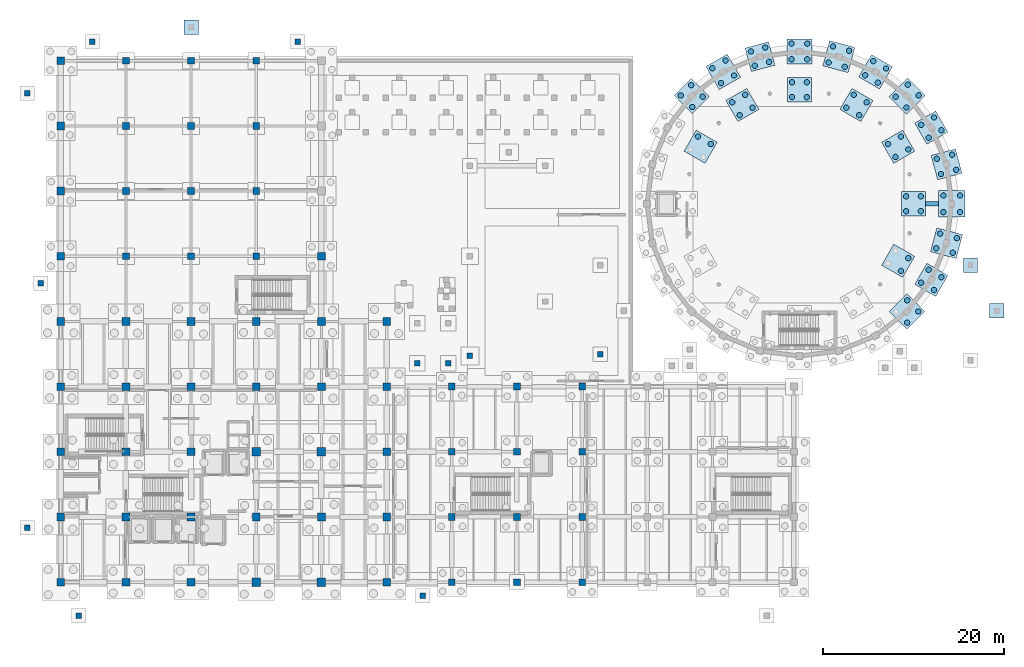
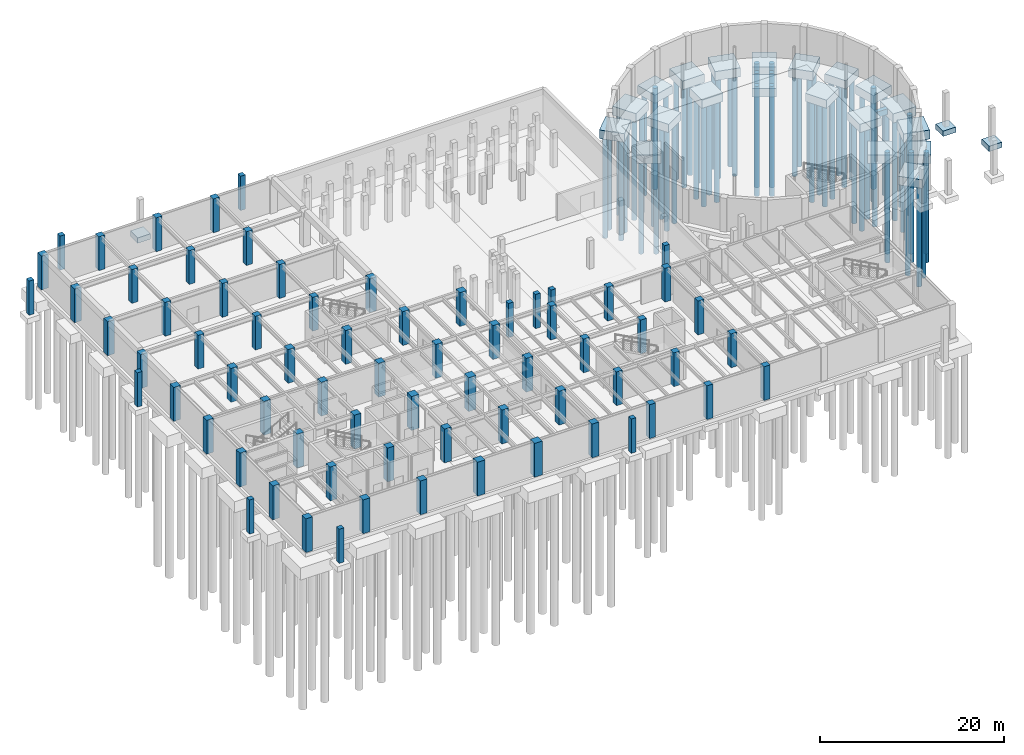
# One storey, part 6 of 26: 75 piles, 70 columns, 24 footings.
"""IFC4 building model written with IfcOpenShell, lengths in metres."""

import ifcopenshell
import ifcopenshell.guid

model = None  # the IFC model being written
_history = None  # IfcOwnerHistory: only IFC2X3 demands one
_inside = {}  # id of a spatial element -> (the spatial element, [elements in it])
_under = {}  # id of a project, library or spatial element -> (it, [spatial elements below it])
_declared = {}  # id of a project -> (the project, [libraries it declares])
_typed = {}  # id of a type object -> (the type object, [elements of that type])
_made_of = {}  # id of a material, layer set ... -> (it, [elements and type objects made of it])


def new_model(schema):
    """Start an empty IFC model of exactly this schema.

    Asked for "IFC4X3", IfcOpenShell would pick the latest addendum, in which some entities
    have other attributes; the version numbers below select the first issue.
    IFC2X3 requires an IfcOwnerHistory on every rooted entity: one is made here for all.
    """
    global model, _history
    if schema == "IFC4X3":
        model = ifcopenshell.file(schema_version=(4, 3, 0, 0))
    else:
        model = ifcopenshell.file(schema=schema)
    _inside.clear()
    _under.clear()
    _declared.clear()
    _typed.clear()
    _made_of.clear()
    _history = None
    if model.schema == "IFC2X3":
        org = make("IfcOrganization", Name="unknown")
        user = make(
            "IfcPersonAndOrganization",
            ThePerson=make("IfcPerson", FamilyName="unknown"),
            TheOrganization=org,
        )
        app = make(
            "IfcApplication",
            ApplicationDeveloper=org,
            Version="unknown",
            ApplicationFullName="unknown",
            ApplicationIdentifier="unknown",
        )
        _history = make(
            "IfcOwnerHistory",
            OwningUser=user,
            OwningApplication=app,
            ChangeAction="ADDED",
            CreationDate=0,
        )
    return model


def make(cls, **values):
    """One entity of the class cls with the attributes given. An attribute that is None is left unset."""
    return model.create_entity(
        cls, **{name: value for name, value in values.items() if value is not None}
    )


def rooted(cls, **values):
    """An entity with a GlobalId (a new one), such as an element, a storey or a relation."""
    return make(cls, GlobalId=ifcopenshell.guid.new(), OwnerHistory=_history, **values)


def si_unit(unit_type, name, prefix=None):
    """IfcSIUnit, for example si_unit("LENGTHUNIT", "METRE", prefix="MILLI")."""
    return make("IfcSIUnit", UnitType=unit_type, Prefix=prefix, Name=name)


def assignment(units):
    """IfcUnitAssignment: the units of a project."""
    return None if units is None else make("IfcUnitAssignment", Units=units)


def point(xyz):
    """IfcCartesianPoint."""
    return None if xyz is None else make("IfcCartesianPoint", Coordinates=xyz)


def direction(xyz):
    """IfcDirection."""
    return None if xyz is None else make("IfcDirection", DirectionRatios=xyz)


def frame(location, z_axis=None, x_axis=None):
    """IfcAxis2Placement3D, a coordinate frame: its origin and axes. An axis left out is left unset."""
    return make(
        "IfcAxis2Placement3D",
        Location=point(location),
        Axis=direction(z_axis),
        RefDirection=direction(x_axis),
    )


def frame_2d(location, x_axis=None):
    """IfcAxis2Placement2D, a coordinate frame in the plane: its origin and x axis."""
    return make(
        "IfcAxis2Placement2D", Location=point(location), RefDirection=direction(x_axis)
    )


def origin():
    """The frame at (0, 0, 0) with its axes left unset."""
    return frame((0.0, 0.0, 0.0))


def origin_2d():
    """The frame at (0, 0) in the plane with its x axis left unset."""
    return frame_2d((0.0, 0.0))


def place(relative_to, where):
    """IfcLocalPlacement: puts the frame where relative to a parent placement (None: the world)."""
    return make(
        "IfcLocalPlacement", PlacementRelTo=relative_to, RelativePlacement=where
    )


def context(
    kind, dimensions, precision=None, world=None, true_north=None, identifier=None
):
    """IfcGeometricRepresentationContext, for example the 3D "Model" context."""
    return make(
        "IfcGeometricRepresentationContext",
        ContextIdentifier=identifier,
        ContextType=kind,
        CoordinateSpaceDimension=dimensions,
        Precision=precision,
        WorldCoordinateSystem=world,
        TrueNorth=true_north,
    )


def subcontext(parent, identifier, kind, view, scale=None):
    """IfcGeometricRepresentationSubContext, for example "Body" below "Model"."""
    return make(
        "IfcGeometricRepresentationSubContext",
        ContextIdentifier=identifier,
        ContextType=kind,
        ParentContext=parent,
        TargetScale=scale,
        TargetView=view,
    )


def project(units=None, contexts=None):
    """IfcProject with its units and contexts."""
    return rooted(
        "IfcProject",
        Name="project",
        RepresentationContexts=contexts,
        UnitsInContext=assignment(units),
    )


def spatial(cls, under=None, at=None, **own):
    """A site, building, storey or space (cls), placed at a placement, below another one or the project."""
    s = rooted(cls, ObjectPlacement=at, **own)
    if under is not None:
        _under.setdefault(under.id(), (under, []))[1].append(s)
    return s


def profile(cls, at=None, kind="AREA", **sizes):
    """A parametric profile (cls). Its sizes go by their IFC names, for example OverallWidth=200.0."""
    return make(cls, ProfileType=kind, Position=at, **sizes)


def rectangle(**sizes):
    """IfcRectangleProfileDef."""
    return profile("IfcRectangleProfileDef", **sizes)


def circle(**sizes):
    """IfcCircleProfileDef."""
    return profile("IfcCircleProfileDef", **sizes)


def extrude(swept, where, along, depth):
    """IfcExtrudedAreaSolid: the profile swept, set in the frame where, extruded along a direction by depth."""
    return make(
        "IfcExtrudedAreaSolid",
        SweptArea=swept,
        Position=where,
        ExtrudedDirection=direction(along),
        Depth=depth,
    )


def shape(context_of_items, identifier, shape_type, items):
    """IfcShapeRepresentation: the items that make up one representation, for example the "Body"."""
    return make(
        "IfcShapeRepresentation",
        ContextOfItems=context_of_items,
        RepresentationIdentifier=identifier,
        RepresentationType=shape_type,
        Items=items,
    )


def material(Name=None, Category=None):
    """IfcMaterial."""
    return make("IfcMaterial", Name=Name, Category=Category)


def material_profile(
    of_material, cross_section, Name=None, Category=None, Priority=None
):
    """IfcMaterialProfile: a cross section and its material."""
    return make(
        "IfcMaterialProfile",
        Name=Name,
        Material=of_material,
        Profile=cross_section,
        Priority=Priority,
        Category=Category,
    )


def profile_set(profiles, Name=None, composite=None):
    """IfcMaterialProfileSet."""
    return make(
        "IfcMaterialProfileSet",
        Name=Name,
        MaterialProfiles=profiles,
        CompositeProfile=composite,
    )


def made_of(thing, what):
    """Note that an element or type object is made of a material, layer set ...; save() writes the relation."""
    if what is not None:
        _made_of.setdefault(what.id(), (what, []))[1].append(thing)
    return thing


def type_object(cls, material=None, **own):
    """A type object (cls), such as IfcWallType, which elements share."""
    return made_of(rooted(cls, **own), material)


def element(
    cls,
    number,
    at=None,
    inside=None,
    cuts=None,
    type_object=None,
    material=None,
    context=None,
    identifier="Body",
    shape_type=None,
    held_by="IfcProductDefinitionShape",
    body=None,
    shapes=None,
    **own,
):
    """One element of the class cls, such as IfcWall. Its Tag is "e" and its number.

    at: its placement. inside: the storey or other place that contains it. cuts: it is an
    opening in that element (IfcRelVoidsElement). A single representation is given by context,
    identifier, shape_type and body (its items); several are given by shapes. held_by: the class
    of the entity that holds the representations. save() writes the other relations.
    """
    e = rooted(cls, Tag="e%d" % number, ObjectPlacement=at, **own)
    if body is not None:
        shapes = [shape(context, identifier, shape_type, body)]
    if shapes is not None:
        e.Representation = make(held_by, Representations=shapes)
    if inside is not None:
        _inside.setdefault(inside.id(), (inside, []))[1].append(e)
    if cuts is not None:
        rooted(
            "IfcRelVoidsElement", RelatingBuildingElement=cuts, RelatedOpeningElement=e
        )
    if type_object is not None:
        _typed.setdefault(type_object.id(), (type_object, []))[1].append(e)
    return made_of(e, material)


def aggregate(whole, parts):
    """IfcRelAggregates: a whole, such as a stair, and the parts it consists of."""
    return rooted("IfcRelAggregates", RelatingObject=whole, RelatedObjects=parts)


def save(model, path):
    """Write the relations noted so far, then the file.

    IfcRelAggregates (storeys below a building ...), IfcRelContainedInSpatialStructure (elements
    in a storey), IfcRelDefinesByType, IfcRelAssociatesMaterial and IfcRelDeclares: one each for
    every whole, place, type object, material and project.
    """
    for whole, parts in _under.values():
        aggregate(whole, parts)
    for where, things in _inside.values():
        rooted(
            "IfcRelContainedInSpatialStructure",
            RelatedElements=things,
            RelatingStructure=where,
        )
    for kind, things in _typed.values():
        rooted("IfcRelDefinesByType", RelatedObjects=things, RelatingType=kind)
    for what, things in _made_of.values():
        rooted("IfcRelAssociatesMaterial", RelatedObjects=things, RelatingMaterial=what)
    for by, libraries in _declared.values():
        rooted("IfcRelDeclares", RelatingContext=by, RelatedDefinitions=libraries)
    model.write(path)


model = new_model("IFC4")

# Units and contexts
model_context = context("Model", 3, precision=1e-05, world=origin(), true_north=direction((0.0, 1.0)))
body_context = subcontext(model_context, "Body", "Model", "MODEL_VIEW")
ifc_project = project(units=[si_unit("LENGTHUNIT", "METRE"), si_unit("AREAUNIT", "SQUARE_METRE"), si_unit("VOLUMEUNIT", "CUBIC_METRE"), si_unit("PLANEANGLEUNIT", "RADIAN"), si_unit("MASSUNIT", "GRAM", prefix="KILO")], contexts=[model_context])

# Site, building, storey
site_placement = place(None, origin())
site = spatial("IfcSite", under=ifc_project, at=site_placement, CompositionType="ELEMENT")
building_placement = place(site_placement, origin())
building = spatial("IfcBuilding", under=site, at=building_placement, Name="Kandorven Conservatory and Botanical Research Centre", CompositionType="ELEMENT")
storey_placement = place(building_placement, frame((0.0, 0.0, -4.800048828125)))
storey = spatial("IfcBuildingStorey", under=building, at=storey_placement, Name="B01", CompositionType="ELEMENT", Elevation=-4.800048828125)

# Footings
ifc_material_1 = material(Name="Concrete C32/40 (M40)", Category="concrete")
ifc_material_profile_1 = material_profile(ifc_material_1, rectangle(XDim=0.5, YDim=0.75, at=origin_2d()))
ifc_profile_set_1 = profile_set([ifc_material_profile_1], Name="Concrete C32/40 (M40)")
footing_type_1 = type_object("IfcFootingType", Name="GroundBeam_GB-02", PredefinedType="FOOTING_BEAM", material=ifc_profile_set_1)
footing_placement = place(storey_placement, frame((101.5400390625, 47.800048828125, -0.875), z_axis=(1.0, 0.0, 0.0), x_axis=(0.0, 1.0, 0.0)))
element("IfcFooting", 1, at=footing_placement, inside=storey, type_object=footing_type_1, Name="Ground tie beam GB-02 X-101", PredefinedType="FOOTING_BEAM", context=body_context, shape_type="SweptSolid", body=[
    extrude(rectangle(XDim=0.5, YDim=0.75, at=origin_2d()), origin(), (0.0, 0.0, 1.0), 1.445068359375),
])
ifc_material_2 = material(Name="Concrete C32/40 (M40)", Category="concrete")
footing_type_2 = type_object("IfcFootingType", Name="PadFooting_PF-04", PredefinedType="PAD_FOOTING", material=ifc_material_2)
for number, where, z_axis, x_axis, name in (
    (2, (20.39990234375, 67.300048828125, -0.69970703125), (0.0, 0.0, 1.0), (1.0, 0.0, 0.0), "Grade apron pad footing SLAB-EXT-NORTH-LANE-2"),
    (3, (109.39990234375, 36.0, -0.69970703125), (0.0, 0.0, 1.0), (1.0, 0.0, 0.0), "Grade apron pad footing SLAB-EXT-SE-COURT-2"),
    (4, (106.5, 41.0, -0.69970703125), (0.0, 0.0, 1.0), (1.0, 0.0, 0.0), "Grade apron pad footing SLAB-EXT-SE-COURT-3"),
):
    element("IfcFooting", number, at=place(storey_placement, frame(where, z_axis=z_axis, x_axis=x_axis)), inside=storey, type_object=footing_type_2, Name=name, PredefinedType="PAD_FOOTING", context=body_context, shape_type="SweptSolid", body=[
        extrude(rectangle(XDim=1.60009765625, YDim=1.60009765625, at=origin_2d()), origin(), (0.0, 0.0, 1.0), 0.699951171875),
    ])
ifc_material_3 = material(Name="Concrete C32/40 (M40)", Category="concrete")
footing_type_3 = type_object("IfcFootingType", Name="PileCap_PC-09", PredefinedType="PILE_CAP", material=ifc_material_3)
for number, where, z_axis, x_axis, name in (
    (5, (104.425048828125, 47.800048828125, -1.69970703125), (0.0, 0.0, 1.0), (1.0, 0.0, 0.0), "Pile cap PC-09 at D-01"),
    (6, (91.95458984375, 64.0517578125, -1.69970703125), (0.0, 0.0, 1.0), (0.258819045103, 0.965925826289, 0.0), "Pile cap PC-09 at D-06"),
):
    element("IfcFooting", number, at=place(storey_placement, frame(where, z_axis=z_axis, x_axis=x_axis)), inside=storey, type_object=footing_type_3, Name=name, PredefinedType="PILE_CAP", context=body_context, shape_type="SweptSolid", body=[
        extrude(rectangle(XDim=2.8798828125, YDim=2.8798828125, at=origin_2d()), origin(), (0.0, 0.0, 1.0), 1.199951171875),
    ])
ifc_material_4 = material(Name="Concrete C32/40 (M40)", Category="concrete")
footing_type_4 = type_object("IfcFootingType", Name="PileCap_PC-10", PredefinedType="PILE_CAP", material=ifc_material_4)
for number, where, z_axis, x_axis, name in (
    (7, (103.851806640625, 52.154541015625, -1.64990234375), (0.0, 0.0, 1.0), (0.965925826289, 0.258819045103, 0.0), "Pile cap PC-10 at D-02"),
    (8, (87.60009765625, 64.625, -1.64990234375), (0.0, 0.0, 1.0), (0.0, 1.0, 0.0), "Pile cap PC-10 at D-07"),
    (9, (99.4970703125, 35.90283203125, -1.64990234375), (0.0, 0.0, 1.0), (0.707106781187, -0.707106781187, 0.0), "Pile cap PC-10 at D-22"),
):
    element("IfcFooting", number, at=place(storey_placement, frame(where, z_axis=z_axis, x_axis=x_axis)), inside=storey, type_object=footing_type_4, Name=name, PredefinedType="PILE_CAP", context=body_context, shape_type="SweptSolid", body=[
        extrude(rectangle(XDim=2.780029296875, YDim=2.780029296875, at=origin_2d()), origin(), (0.0, 0.0, 1.0), 1.14990234375),
    ])
ifc_material_5 = material(Name="Concrete C32/40 (M40)", Category="concrete")
footing_type_5 = type_object("IfcFootingType", Name="PileCap_PC-11", PredefinedType="PILE_CAP", material=ifc_material_5)
for number, where, z_axis, x_axis, name in (
    (10, (102.1708984375, 56.21240234375, -1.60009765625), (0.0, 0.0, 1.0), (0.866025403784, 0.5, 0.0), "Pile cap PC-11 at D-03"),
    (11, (83.245361328125, 64.0517578125, -1.60009765625), (0.0, 0.0, 1.0), (-0.258819045103, 0.965925826289, 0.0), "Pile cap PC-11 at D-08"),
    (12, (102.1708984375, 39.387451171875, -1.60009765625), (0.0, 0.0, 1.0), (0.866025403784, -0.5, 0.0), "Pile cap PC-11 at D-23"),
    (13, (100.199951171875, 47.800048828125, -1.60009765625), (0.0, 0.0, 1.0), (1.0, 0.0, 0.0), "Pile cap PC-11 at DW-01"),
    (14, (98.511962890625, 54.10009765625, -1.60009765625), (0.0, 0.0, 1.0), (0.866025403784, 0.5, 0.0), "Pile cap PC-11 at DW-02"),
    (15, (93.89990234375, 58.7119140625, -1.60009765625), (0.0, 0.0, 1.0), (0.5, 0.866025403784, 0.0), "Pile cap PC-11 at DW-03"),
    (16, (87.60009765625, 60.39990234375, -1.60009765625), (0.0, 0.0, 1.0), (0.0, 1.0, 0.0), "Pile cap PC-11 at DW-04"),
    (17, (81.300048828125, 58.7119140625, -1.60009765625), (0.0, 0.0, 1.0), (-0.5, 0.866025403784, 0.0), "Pile cap PC-11 at DW-05"),
    (18, (76.68798828125, 54.10009765625, -1.60009765625), (0.0, 0.0, 1.0), (-0.866025403784, 0.5, 0.0), "Pile cap PC-11 at DW-06"),
    (19, (98.511962890625, 41.5, -1.60009765625), (0.0, 0.0, 1.0), (0.866025403784, -0.5, 0.0), "Pile cap PC-11 at DW-12"),
):
    element("IfcFooting", number, at=place(storey_placement, frame(where, z_axis=z_axis, x_axis=x_axis)), inside=storey, type_object=footing_type_5, Name=name, PredefinedType="PILE_CAP", context=body_context, shape_type="SweptSolid", body=[
        extrude(rectangle(XDim=2.679931640625, YDim=2.679931640625, at=origin_2d()), origin(), (0.0, 0.0, 1.0), 1.10009765625),
    ])
ifc_material_6 = material(Name="Concrete C32/40 (M40)", Category="concrete")
footing_type_6 = type_object("IfcFootingType", Name="PileCap_PC-17", PredefinedType="PILE_CAP", material=ifc_material_6)
for number, where, z_axis, x_axis, name in (
    (20, (99.4970703125, 59.697021484375, -1.69970703125), (0.0, 0.0, 1.0), (0.707106781187, 0.707106781187, 0.0), "Pile cap PC-17 at D-04"),
    (21, (79.1875, 62.370849609375, -1.69970703125), (0.0, 0.0, 1.0), (-0.5, 0.866025403784, 0.0), "Pile cap PC-17 at D-09"),
    (22, (103.851806640625, 43.4453125, -1.69970703125), (0.0, 0.0, 1.0), (0.965925826289, -0.258819045103, 0.0), "Pile cap PC-17 at D-24"),
):
    element("IfcFooting", number, at=place(storey_placement, frame(where, z_axis=z_axis, x_axis=x_axis)), inside=storey, type_object=footing_type_6, Name=name, PredefinedType="PILE_CAP", context=body_context, shape_type="SweptSolid", body=[
        extrude(rectangle(XDim=2.93994140625, YDim=2.719970703125, at=origin_2d()), origin(), (0.0, 0.0, 1.0), 1.199951171875),
    ])
ifc_material_7 = material(Name="Concrete C32/40 (M40)", Category="concrete")
footing_type_7 = type_object("IfcFootingType", Name="PileCap_PC-18", PredefinedType="PILE_CAP", material=ifc_material_7)
for number, where, z_axis, x_axis, name in (
    (23, (96.012451171875, 62.370849609375, -1.64990234375), (0.0, 0.0, 1.0), (0.5, 0.866025403784, 0.0), "Pile cap PC-18 at D-05"),
    (24, (75.702880859375, 59.697021484375, -1.64990234375), (0.0, 0.0, 1.0), (-0.707106781187, 0.707106781187, 0.0), "Pile cap PC-18 at D-10"),
):
    element("IfcFooting", number, at=place(storey_placement, frame(where, z_axis=z_axis, x_axis=x_axis)), inside=storey, type_object=footing_type_7, Name=name, PredefinedType="PILE_CAP", context=body_context, shape_type="SweptSolid", body=[
        extrude(rectangle(XDim=2.840087890625, YDim=2.659912109375, at=origin_2d()), origin(), (0.0, 0.0, 1.0), 1.14990234375),
    ])

# Piles
ifc_material_8 = material(Name="Concrete C32/40 (M40)", Category="concrete")
ifc_material_profile_2 = material_profile(ifc_material_8, circle(Radius=0.300048828125, at=origin_2d()))
ifc_profile_set_2 = profile_set([ifc_material_profile_2], Name="Concrete C32/40 (M40)")
pile_type = type_object("IfcPileType", Name="Pile_PILE_D600", PredefinedType="BORED", material=ifc_profile_set_2)
for number, where, z_axis, x_axis, name in (
    (25, (103.5048828125, 46.8798828125, -1.599853515625), (0.0, 0.0, -1.0), (1.0, 0.0, 0.0), "Bored pile D-01-1"),
    (26, (103.5048828125, 48.719970703125, -1.599853515625), (0.0, 0.0, -1.0), (1.0, 0.0, 0.0), "Bored pile D-01-2"),
    (27, (105.344970703125, 46.8798828125, -1.599853515625), (0.0, 0.0, -1.0), (1.0, 0.0, 0.0), "Bored pile D-01-3"),
    (28, (105.344970703125, 48.719970703125, -1.599853515625), (0.0, 0.0, -1.0), (1.0, 0.0, 0.0), "Bored pile D-01-4"),
):
    element("IfcPile", number, at=place(storey_placement, frame(where, z_axis=z_axis, x_axis=x_axis)), inside=storey, type_object=pile_type, Name=name, PredefinedType="BORED", context=body_context, shape_type="SweptSolid", body=[
        extrude(circle(Radius=0.300048828125, at=origin_2d()), origin(), (0.0, 0.0, 1.0), 13.39990234375),
    ])
for number, where, z_axis, x_axis, name in (
    (29, (103.236572265625, 51.089111328125, -1.550048828125), (0.0, 0.0, -1.0), (1.0, 0.0, 0.0), "Bored pile D-02-1"),
    (30, (102.7861328125, 52.769775390625, -1.550048828125), (0.0, 0.0, -1.0), (1.0, 0.0, 0.0), "Bored pile D-02-2"),
    (31, (104.917236328125, 51.539306640625, -1.550048828125), (0.0, 0.0, -1.0), (1.0, 0.0, 0.0), "Bored pile D-02-3"),
    (32, (104.466796875, 53.22021484375, -1.550048828125), (0.0, 0.0, -1.0), (1.0, 0.0, 0.0), "Bored pile D-02-4"),
):
    element("IfcPile", number, at=place(storey_placement, frame(where, z_axis=z_axis, x_axis=x_axis)), inside=storey, type_object=pile_type, Name=name, PredefinedType="BORED", context=body_context, shape_type="SweptSolid", body=[
        extrude(circle(Radius=0.300048828125, at=origin_2d()), origin(), (0.0, 0.0, 1.0), 13.449951171875),
    ])
for number, where, z_axis, x_axis, name in (
    (33, (101.870849609375, 55.09228515625, -1.5), (0.0, 0.0, -1.0), (1.0, 0.0, 0.0), "Bored pile D-03-1"),
    (34, (101.05078125, 56.5126953125, -1.5), (0.0, 0.0, -1.0), (1.0, 0.0, 0.0), "Bored pile D-03-2"),
    (35, (103.291015625, 55.912353515625, -1.5), (0.0, 0.0, -1.0), (1.0, 0.0, 0.0), "Bored pile D-03-3"),
    (36, (102.470947265625, 57.33251953125, -1.5), (0.0, 0.0, -1.0), (1.0, 0.0, 0.0), "Bored pile D-03-4"),
):
    element("IfcPile", number, at=place(storey_placement, frame(where, z_axis=z_axis, x_axis=x_axis)), inside=storey, type_object=pile_type, Name=name, PredefinedType="BORED", context=body_context, shape_type="SweptSolid", body=[
        extrude(circle(Radius=0.300048828125, at=origin_2d()), origin(), (0.0, 0.0, 1.0), 13.5),
    ])
for number, where, z_axis, x_axis, name in (
    (37, (99.419189453125, 58.431396484375, -1.599853515625), (0.0, 0.0, -1.0), (1.0, 0.0, 0.0), "Bored pile D-04-1"),
    (38, (98.2314453125, 59.619384765625, -1.599853515625), (0.0, 0.0, -1.0), (1.0, 0.0, 0.0), "Bored pile D-04-2"),
    (39, (100.7626953125, 59.77490234375, -1.599853515625), (0.0, 0.0, -1.0), (1.0, 0.0, 0.0), "Bored pile D-04-3"),
    (40, (99.574951171875, 60.962890625, -1.599853515625), (0.0, 0.0, -1.0), (1.0, 0.0, 0.0), "Bored pile D-04-4"),
):
    element("IfcPile", number, at=place(storey_placement, frame(where, z_axis=z_axis, x_axis=x_axis)), inside=storey, type_object=pile_type, Name=name, PredefinedType="BORED", context=body_context, shape_type="SweptSolid", body=[
        extrude(circle(Radius=0.300048828125, at=origin_2d()), origin(), (0.0, 0.0, 1.0), 13.39990234375),
    ])
for number, where, z_axis, x_axis, name in (
    (41, (96.263916015625, 61.1865234375, -1.550048828125), (0.0, 0.0, -1.0), (1.0, 0.0, 0.0), "Bored pile D-05-1"),
    (42, (94.861083984375, 61.99658203125, -1.550048828125), (0.0, 0.0, -1.0), (1.0, 0.0, 0.0), "Bored pile D-05-2"),
    (43, (97.1640625, 62.745361328125, -1.550048828125), (0.0, 0.0, -1.0), (1.0, 0.0, 0.0), "Bored pile D-05-3"),
    (44, (95.760986328125, 63.555419921875, -1.550048828125), (0.0, 0.0, -1.0), (1.0, 0.0, 0.0), "Bored pile D-05-4"),
):
    element("IfcPile", number, at=place(storey_placement, frame(where, z_axis=z_axis, x_axis=x_axis)), inside=storey, type_object=pile_type, Name=name, PredefinedType="BORED", context=body_context, shape_type="SweptSolid", body=[
        extrude(circle(Radius=0.300048828125, at=origin_2d()), origin(), (0.0, 0.0, 1.0), 13.449951171875),
    ])
for number, where, z_axis, x_axis, name in (
    (45, (92.60498046875, 62.9248046875, -1.599853515625), (0.0, 0.0, -1.0), (1.0, 0.0, 0.0), "Bored pile D-06-1"),
    (46, (90.827880859375, 63.401123046875, -1.599853515625), (0.0, 0.0, -1.0), (1.0, 0.0, 0.0), "Bored pile D-06-2"),
    (47, (93.081298828125, 64.7021484375, -1.599853515625), (0.0, 0.0, -1.0), (1.0, 0.0, 0.0), "Bored pile D-06-3"),
    (48, (91.30419921875, 65.178466796875, -1.599853515625), (0.0, 0.0, -1.0), (1.0, 0.0, 0.0), "Bored pile D-06-4"),
):
    element("IfcPile", number, at=place(storey_placement, frame(where, z_axis=z_axis, x_axis=x_axis)), inside=storey, type_object=pile_type, Name=name, PredefinedType="BORED", context=body_context, shape_type="SweptSolid", body=[
        extrude(circle(Radius=0.300048828125, at=origin_2d()), origin(), (0.0, 0.0, 1.0), 13.39990234375),
    ])
for number, where, z_axis, x_axis, name in (
    (49, (88.469970703125, 63.7548828125, -1.550048828125), (0.0, 0.0, -1.0), (1.0, 0.0, 0.0), "Bored pile D-07-1"),
    (50, (86.72998046875, 63.7548828125, -1.550048828125), (0.0, 0.0, -1.0), (1.0, 0.0, 0.0), "Bored pile D-07-2"),
    (51, (88.469970703125, 65.4951171875, -1.550048828125), (0.0, 0.0, -1.0), (1.0, 0.0, 0.0), "Bored pile D-07-3"),
    (52, (86.72998046875, 65.4951171875, -1.550048828125), (0.0, 0.0, -1.0), (1.0, 0.0, 0.0), "Bored pile D-07-4"),
):
    element("IfcPile", number, at=place(storey_placement, frame(where, z_axis=z_axis, x_axis=x_axis)), inside=storey, type_object=pile_type, Name=name, PredefinedType="BORED", context=body_context, shape_type="SweptSolid", body=[
        extrude(circle(Radius=0.300048828125, at=origin_2d()), origin(), (0.0, 0.0, 1.0), 13.449951171875),
    ])
for number, where, z_axis, x_axis, name in (
    (53, (84.249755859375, 63.471923828125, -1.5), (0.0, 0.0, -1.0), (1.0, 0.0, 0.0), "Bored pile D-08-1"),
    (54, (82.66552734375, 63.04736328125, -1.5), (0.0, 0.0, -1.0), (1.0, 0.0, 0.0), "Bored pile D-08-2"),
    (55, (83.8251953125, 65.055908203125, -1.5), (0.0, 0.0, -1.0), (1.0, 0.0, 0.0), "Bored pile D-08-3"),
    (56, (82.2412109375, 64.631591796875, -1.5), (0.0, 0.0, -1.0), (1.0, 0.0, 0.0), "Bored pile D-08-4"),
):
    element("IfcPile", number, at=place(storey_placement, frame(where, z_axis=z_axis, x_axis=x_axis)), inside=storey, type_object=pile_type, Name=name, PredefinedType="BORED", context=body_context, shape_type="SweptSolid", body=[
        extrude(circle(Radius=0.300048828125, at=origin_2d()), origin(), (0.0, 0.0, 1.0), 13.5),
    ])
for number, where, z_axis, x_axis, name in (
    (57, (80.389892578125, 61.96826171875, -1.599853515625), (0.0, 0.0, -1.0), (1.0, 0.0, 0.0), "Bored pile D-09-1"),
    (58, (78.93505859375, 61.128173828125, -1.599853515625), (0.0, 0.0, -1.0), (1.0, 0.0, 0.0), "Bored pile D-09-2"),
    (59, (79.43994140625, 63.613525390625, -1.599853515625), (0.0, 0.0, -1.0), (1.0, 0.0, 0.0), "Bored pile D-09-3"),
    (60, (77.985107421875, 62.773681640625, -1.599853515625), (0.0, 0.0, -1.0), (1.0, 0.0, 0.0), "Bored pile D-09-4"),
):
    element("IfcPile", number, at=place(storey_placement, frame(where, z_axis=z_axis, x_axis=x_axis)), inside=storey, type_object=pile_type, Name=name, PredefinedType="BORED", context=body_context, shape_type="SweptSolid", body=[
        extrude(circle(Radius=0.300048828125, at=origin_2d()), origin(), (0.0, 0.0, 1.0), 13.39990234375),
    ])
for number, where, z_axis, x_axis, name in (
    (61, (76.912109375, 59.633544921875, -1.550048828125), (0.0, 0.0, -1.0), (1.0, 0.0, 0.0), "Bored pile D-10-1"),
    (62, (75.7666015625, 58.48779296875, -1.550048828125), (0.0, 0.0, -1.0), (1.0, 0.0, 0.0), "Bored pile D-10-2"),
    (63, (75.639404296875, 60.90625, -1.550048828125), (0.0, 0.0, -1.0), (1.0, 0.0, 0.0), "Bored pile D-10-3"),
    (64, (74.49365234375, 59.7607421875, -1.550048828125), (0.0, 0.0, -1.0), (1.0, 0.0, 0.0), "Bored pile D-10-4"),
    (65, (99.4970703125, 37.13330078125, -1.550048828125), (0.0, 0.0, -1.0), (1.0, 0.0, 0.0), "Bored pile D-22-2"),
    (66, (99.4970703125, 34.672607421875, -1.550048828125), (0.0, 0.0, -1.0), (1.0, 0.0, 0.0), "Bored pile D-22-3"),
    (67, (100.7275390625, 35.90283203125, -1.550048828125), (0.0, 0.0, -1.0), (1.0, 0.0, 0.0), "Bored pile D-22-4"),
):
    element("IfcPile", number, at=place(storey_placement, frame(where, z_axis=z_axis, x_axis=x_axis)), inside=storey, type_object=pile_type, Name=name, PredefinedType="BORED", context=body_context, shape_type="SweptSolid", body=[
        extrude(circle(Radius=0.300048828125, at=origin_2d()), origin(), (0.0, 0.0, 1.0), 13.449951171875),
    ])
for number, where, z_axis, x_axis, name in (
    (68, (101.05078125, 39.08740234375, -1.5), (0.0, 0.0, -1.0), (1.0, 0.0, 0.0), "Bored pile D-23-1"),
    (69, (101.870849609375, 40.507568359375, -1.5), (0.0, 0.0, -1.0), (1.0, 0.0, 0.0), "Bored pile D-23-2"),
    (70, (102.470947265625, 38.267333984375, -1.5), (0.0, 0.0, -1.0), (1.0, 0.0, 0.0), "Bored pile D-23-3"),
    (71, (103.291015625, 39.6875, -1.5), (0.0, 0.0, -1.0), (1.0, 0.0, 0.0), "Bored pile D-23-4"),
):
    element("IfcPile", number, at=place(storey_placement, frame(where, z_axis=z_axis, x_axis=x_axis)), inside=storey, type_object=pile_type, Name=name, PredefinedType="BORED", context=body_context, shape_type="SweptSolid", body=[
        extrude(circle(Radius=0.300048828125, at=origin_2d()), origin(), (0.0, 0.0, 1.0), 13.5),
    ])
for number, where, z_axis, x_axis, name in (
    (72, (102.716796875, 42.8798828125, -1.599853515625), (0.0, 0.0, -1.0), (1.0, 0.0, 0.0), "Bored pile D-24-1"),
    (73, (103.151611328125, 44.502685546875, -1.599853515625), (0.0, 0.0, -1.0), (1.0, 0.0, 0.0), "Bored pile D-24-2"),
    (74, (104.552001953125, 42.38818359375, -1.599853515625), (0.0, 0.0, -1.0), (1.0, 0.0, 0.0), "Bored pile D-24-3"),
    (75, (104.98681640625, 44.010986328125, -1.599853515625), (0.0, 0.0, -1.0), (1.0, 0.0, 0.0), "Bored pile D-24-4"),
):
    element("IfcPile", number, at=place(storey_placement, frame(where, z_axis=z_axis, x_axis=x_axis)), inside=storey, type_object=pile_type, Name=name, PredefinedType="BORED", context=body_context, shape_type="SweptSolid", body=[
        extrude(circle(Radius=0.300048828125, at=origin_2d()), origin(), (0.0, 0.0, 1.0), 13.39990234375),
    ])
for number, where, z_axis, x_axis, name in (
    (76, (99.3798828125, 46.97998046875, -1.5), (0.0, 0.0, -1.0), (1.0, 0.0, 0.0), "Bored pile DW-01-1"),
    (77, (99.3798828125, 48.6201171875, -1.5), (0.0, 0.0, -1.0), (1.0, 0.0, 0.0), "Bored pile DW-01-2"),
    (78, (101.02001953125, 46.97998046875, -1.5), (0.0, 0.0, -1.0), (1.0, 0.0, 0.0), "Bored pile DW-01-3"),
    (79, (101.02001953125, 48.6201171875, -1.5), (0.0, 0.0, -1.0), (1.0, 0.0, 0.0), "Bored pile DW-01-4"),
    (80, (98.2119140625, 52.97998046875, -1.5), (0.0, 0.0, -1.0), (1.0, 0.0, 0.0), "Bored pile DW-02-1"),
    (81, (97.391845703125, 54.400146484375, -1.5), (0.0, 0.0, -1.0), (1.0, 0.0, 0.0), "Bored pile DW-02-2"),
    (82, (99.632080078125, 53.7998046875, -1.5), (0.0, 0.0, -1.0), (1.0, 0.0, 0.0), "Bored pile DW-02-3"),
    (83, (98.81201171875, 55.22021484375, -1.5), (0.0, 0.0, -1.0), (1.0, 0.0, 0.0), "Bored pile DW-02-4"),
    (84, (94.2001953125, 57.591796875, -1.5), (0.0, 0.0, -1.0), (1.0, 0.0, 0.0), "Bored pile DW-03-1"),
    (85, (92.77978515625, 58.411865234375, -1.5), (0.0, 0.0, -1.0), (1.0, 0.0, 0.0), "Bored pile DW-03-2"),
    (86, (95.02001953125, 59.011962890625, -1.5), (0.0, 0.0, -1.0), (1.0, 0.0, 0.0), "Bored pile DW-03-3"),
    (87, (93.599853515625, 59.83203125, -1.5), (0.0, 0.0, -1.0), (1.0, 0.0, 0.0), "Bored pile DW-03-4"),
    (88, (88.419921875, 59.580078125, -1.5), (0.0, 0.0, -1.0), (1.0, 0.0, 0.0), "Bored pile DW-04-1"),
    (89, (86.780029296875, 59.580078125, -1.5), (0.0, 0.0, -1.0), (1.0, 0.0, 0.0), "Bored pile DW-04-2"),
    (90, (88.419921875, 61.219970703125, -1.5), (0.0, 0.0, -1.0), (1.0, 0.0, 0.0), "Bored pile DW-04-3"),
    (91, (86.780029296875, 61.219970703125, -1.5), (0.0, 0.0, -1.0), (1.0, 0.0, 0.0), "Bored pile DW-04-4"),
    (92, (82.420166015625, 58.411865234375, -1.5), (0.0, 0.0, -1.0), (1.0, 0.0, 0.0), "Bored pile DW-05-1"),
    (93, (81.0, 57.591796875, -1.5), (0.0, 0.0, -1.0), (1.0, 0.0, 0.0), "Bored pile DW-05-2"),
    (94, (81.60009765625, 59.83203125, -1.5), (0.0, 0.0, -1.0), (1.0, 0.0, 0.0), "Bored pile DW-05-3"),
    (95, (80.179931640625, 59.011962890625, -1.5), (0.0, 0.0, -1.0), (1.0, 0.0, 0.0), "Bored pile DW-05-4"),
    (96, (77.80810546875, 54.400146484375, -1.5), (0.0, 0.0, -1.0), (1.0, 0.0, 0.0), "Bored pile DW-06-1"),
    (97, (76.387939453125, 55.22021484375, -1.5), (0.0, 0.0, -1.0), (1.0, 0.0, 0.0), "Bored pile DW-06-3"),
    (98, (98.81201171875, 40.3798828125, -1.5), (0.0, 0.0, -1.0), (1.0, 0.0, 0.0), "Bored pile DW-12-3"),
    (99, (99.632080078125, 41.800048828125, -1.5), (0.0, 0.0, -1.0), (1.0, 0.0, 0.0), "Bored pile DW-12-4"),
):
    element("IfcPile", number, at=place(storey_placement, frame(where, z_axis=z_axis, x_axis=x_axis)), inside=storey, type_object=pile_type, Name=name, PredefinedType="BORED", context=body_context, shape_type="SweptSolid", body=[
        extrude(circle(Radius=0.300048828125, at=origin_2d()), origin(), (0.0, 0.0, 1.0), 13.5),
    ])

# Columns
ifc_material_9 = material(Name="Concrete C40/50 (M50)", Category="concrete")
ifc_material_profile_3 = material_profile(ifc_material_9, rectangle(XDim=0.949951171875, YDim=0.949951171875, at=origin_2d()))
ifc_profile_set_3 = profile_set([ifc_material_profile_3], Name="Concrete C40/50 (M50)")
column_type_1 = type_object("IfcColumnType", Name="Col_TC-01", PredefinedType="COLUMN", material=ifc_profile_set_3)
for number, where, z_axis, x_axis, name in (
    (100, (27.60009765625, 6.0, 0.0), (0.0, 0.0, 1.0), (1.0, 0.0, 0.0), "Column TC-01 TWR B01 (4,1)"),
    (101, (27.60009765625, 20.39990234375, 0.0), (0.0, 0.0, 1.0), (1.0, 0.0, 0.0), "Column TC-01 TWR B01 (4,3)"),
    (102, (34.800048828125, 6.0, 0.0), (0.0, 0.0, 1.0), (1.0, 0.0, 0.0), "Column TC-01 TWR B01 (5,1)"),
    (103, (34.800048828125, 20.39990234375, 0.0), (0.0, 0.0, 1.0), (1.0, 0.0, 0.0), "Column TC-01 TWR B01 (5,3)"),
):
    element("IfcColumn", number, at=place(storey_placement, frame(where, z_axis=z_axis, x_axis=x_axis)), inside=storey, type_object=column_type_1, Name=name, PredefinedType="COLUMN", context=body_context, shape_type="SweptSolid", body=[
        extrude(rectangle(XDim=0.949951171875, YDim=0.949951171875, at=origin_2d()), origin(), (0.0, 0.0, 1.0), 4.5),
    ])
ifc_material_10 = material(Name="Concrete C40/50 (M50)", Category="concrete")
ifc_material_profile_4 = material_profile(ifc_material_10, rectangle(XDim=0.85009765625, YDim=0.85009765625, at=origin_2d()))
ifc_profile_set_4 = profile_set([ifc_material_profile_4], Name="Concrete C40/50 (M50)")
column_type_2 = type_object("IfcColumnType", Name="Col_TC-02", PredefinedType="COLUMN", material=ifc_profile_set_4)
for number, where, z_axis, x_axis, name in (
    (104, (6.0, 6.0, 0.0), (0.0, 0.0, 1.0), (1.0, 0.0, 0.0), "Column TC-02 TWR B01 (1,1)"),
    (105, (6.0, 13.199951171875, 0.0), (0.0, 0.0, 1.0), (1.0, 0.0, 0.0), "Column TC-02 TWR B01 (1,2)"),
    (106, (6.0, 20.39990234375, 0.0), (0.0, 0.0, 1.0), (1.0, 0.0, 0.0), "Column TC-02 TWR B01 (1,3)"),
    (107, (6.0, 27.60009765625, 0.0), (0.0, 0.0, 1.0), (1.0, 0.0, 0.0), "Column TC-02 TWR B01 (1,4)"),
    (108, (6.0, 34.800048828125, 0.0), (0.0, 0.0, 1.0), (1.0, 0.0, 0.0), "Column TC-02 TWR B01 (1,5)"),
    (109, (13.199951171875, 6.0, 0.0), (0.0, 0.0, 1.0), (1.0, 0.0, 0.0), "Column TC-02 TWR B01 (2,1)"),
    (110, (13.199951171875, 13.199951171875, 0.0), (0.0, 0.0, 1.0), (1.0, 0.0, 0.0), "Column TC-02 TWR B01 (2,2)"),
    (111, (13.199951171875, 20.39990234375, 0.0), (0.0, 0.0, 1.0), (1.0, 0.0, 0.0), "Column TC-02 TWR B01 (2,3)"),
    (112, (13.199951171875, 27.60009765625, 0.0), (0.0, 0.0, 1.0), (1.0, 0.0, 0.0), "Column TC-02 TWR B01 (2,4)"),
    (113, (13.199951171875, 34.800048828125, 0.0), (0.0, 0.0, 1.0), (1.0, 0.0, 0.0), "Column TC-02 TWR B01 (2,5)"),
    (114, (20.39990234375, 6.0, 0.0), (0.0, 0.0, 1.0), (1.0, 0.0, 0.0), "Column TC-02 TWR B01 (3,1)"),
    (115, (20.39990234375, 13.199951171875, 0.0), (0.0, 0.0, 1.0), (1.0, 0.0, 0.0), "Column TC-02 TWR B01 (3,2)"),
    (116, (20.39990234375, 20.39990234375, 0.0), (0.0, 0.0, 1.0), (1.0, 0.0, 0.0), "Column TC-02 TWR B01 (3,3)"),
    (117, (20.39990234375, 27.60009765625, 0.0), (0.0, 0.0, 1.0), (1.0, 0.0, 0.0), "Column TC-02 TWR B01 (3,4)"),
    (118, (20.39990234375, 34.800048828125, 0.0), (0.0, 0.0, 1.0), (1.0, 0.0, 0.0), "Column TC-02 TWR B01 (3,5)"),
    (119, (27.60009765625, 13.199951171875, 0.0), (0.0, 0.0, 1.0), (1.0, 0.0, 0.0), "Column TC-02 TWR B01 (4,2)"),
    (120, (27.60009765625, 27.60009765625, 0.0), (0.0, 0.0, 1.0), (1.0, 0.0, 0.0), "Column TC-02 TWR B01 (4,4)"),
    (121, (27.60009765625, 34.800048828125, 0.0), (0.0, 0.0, 1.0), (1.0, 0.0, 0.0), "Column TC-02 TWR B01 (4,5)"),
    (122, (34.800048828125, 13.199951171875, 0.0), (0.0, 0.0, 1.0), (1.0, 0.0, 0.0), "Column TC-02 TWR B01 (5,2)"),
    (123, (34.800048828125, 27.60009765625, 0.0), (0.0, 0.0, 1.0), (1.0, 0.0, 0.0), "Column TC-02 TWR B01 (5,4)"),
    (124, (34.800048828125, 34.800048828125, 0.0), (0.0, 0.0, 1.0), (1.0, 0.0, 0.0), "Column TC-02 TWR B01 (5,5)"),
    (125, (42.0, 6.0, 0.0), (0.0, 0.0, 1.0), (1.0, 0.0, 0.0), "Column TC-02 TWR B01 (6,1)"),
    (126, (42.0, 13.199951171875, 0.0), (0.0, 0.0, 1.0), (1.0, 0.0, 0.0), "Column TC-02 TWR B01 (6,2)"),
    (127, (42.0, 20.39990234375, 0.0), (0.0, 0.0, 1.0), (1.0, 0.0, 0.0), "Column TC-02 TWR B01 (6,3)"),
    (128, (42.0, 27.60009765625, 0.0), (0.0, 0.0, 1.0), (1.0, 0.0, 0.0), "Column TC-02 TWR B01 (6,4)"),
    (129, (42.0, 34.800048828125, 0.0), (0.0, 0.0, 1.0), (1.0, 0.0, 0.0), "Column TC-02 TWR B01 (6,5)"),
    (130, (6.0, 42.0, 0.0), (0.0, 0.0, 1.0), (1.0, 0.0, 0.0), "Auditorium portal column TC-02 B01"),
    (131, (6.0, 49.199951171875, 0.0), (0.0, 0.0, 1.0), (1.0, 0.0, 0.0), "Auditorium portal column TC-02 B01"),
    (132, (6.0, 56.39990234375, 0.0), (0.0, 0.0, 1.0), (1.0, 0.0, 0.0), "Auditorium portal column TC-02 B01"),
    (133, (6.0, 63.60009765625, 0.0), (0.0, 0.0, 1.0), (1.0, 0.0, 0.0), "Auditorium portal column TC-02 B01"),
    (134, (34.800048828125, 42.0, 0.0), (0.0, 0.0, 1.0), (1.0, 0.0, 0.0), "Auditorium portal column TC-02 B01"),
):
    element("IfcColumn", number, at=place(storey_placement, frame(where, z_axis=z_axis, x_axis=x_axis)), inside=storey, type_object=column_type_2, Name=name, PredefinedType="COLUMN", context=body_context, shape_type="SweptSolid", body=[
        extrude(rectangle(XDim=0.85009765625, YDim=0.85009765625, at=origin_2d()), origin(), (0.0, 0.0, 1.0), 4.5),
    ])
ifc_material_11 = material(Name="Concrete C40/50 (M50)", Category="concrete")
ifc_material_profile_5 = material_profile(ifc_material_11, rectangle(XDim=0.75, YDim=0.75, at=origin_2d()))
ifc_profile_set_5 = profile_set([ifc_material_profile_5], Name="Concrete C40/50 (M50)")
column_type_3 = type_object("IfcColumnType", Name="Col_TC-03", PredefinedType="COLUMN", material=ifc_profile_set_5)
for number, where, z_axis, x_axis, name in (
    (135, (49.199951171875, 6.0, 0.0), (0.0, 0.0, 1.0), (1.0, 0.0, 0.0), "Column TC-03 VIS B01 (2,1)"),
    (136, (49.199951171875, 13.199951171875, 0.0), (0.0, 0.0, 1.0), (1.0, 0.0, 0.0), "Column TC-03 VIS B01 (2,2)"),
    (137, (49.199951171875, 20.39990234375, 0.0), (0.0, 0.0, 1.0), (1.0, 0.0, 0.0), "Column TC-03 VIS B01 (2,3)"),
    (138, (49.199951171875, 27.60009765625, 0.0), (0.0, 0.0, 1.0), (1.0, 0.0, 0.0), "Column TC-03 VIS B01 (2,4)"),
    (139, (56.39990234375, 6.0, 0.0), (0.0, 0.0, 1.0), (1.0, 0.0, 0.0), "Column TC-03 VIS B01 (3,1)"),
    (140, (56.39990234375, 13.199951171875, 0.0), (0.0, 0.0, 1.0), (1.0, 0.0, 0.0), "Column TC-03 VIS B01 (3,2)"),
    (141, (56.39990234375, 20.39990234375, 0.0), (0.0, 0.0, 1.0), (1.0, 0.0, 0.0), "Column TC-03 VIS B01 (3,3)"),
    (142, (56.39990234375, 27.60009765625, 0.0), (0.0, 0.0, 1.0), (1.0, 0.0, 0.0), "Column TC-03 VIS B01 (3,4)"),
    (143, (63.60009765625, 6.0, 0.0), (0.0, 0.0, 1.0), (1.0, 0.0, 0.0), "Column TC-03 VIS B01 (4,1)"),
    (144, (63.60009765625, 13.199951171875, 0.0), (0.0, 0.0, 1.0), (1.0, 0.0, 0.0), "Column TC-03 VIS B01 (4,2)"),
    (145, (63.60009765625, 20.39990234375, 0.0), (0.0, 0.0, 1.0), (1.0, 0.0, 0.0), "Column TC-03 VIS B01 (4,3)"),
    (146, (63.60009765625, 27.60009765625, 0.0), (0.0, 0.0, 1.0), (1.0, 0.0, 0.0), "Column TC-03 VIS B01 (4,4)"),
    (147, (13.199951171875, 42.0, 0.0), (0.0, 0.0, 1.0), (1.0, 0.0, 0.0), "Auditorium basement support column TC-03 (1,1)"),
    (148, (13.199951171875, 49.199951171875, 0.0), (0.0, 0.0, 1.0), (1.0, 0.0, 0.0), "Auditorium basement support column TC-03 (1,2)"),
    (149, (13.199951171875, 56.39990234375, 0.0), (0.0, 0.0, 1.0), (1.0, 0.0, 0.0), "Auditorium basement support column TC-03 (1,3)"),
    (150, (13.199951171875, 63.60009765625, 0.0), (0.0, 0.0, 1.0), (1.0, 0.0, 0.0), "Auditorium basement support column TC-03 (1,4)"),
    (151, (20.39990234375, 42.0, 0.0), (0.0, 0.0, 1.0), (1.0, 0.0, 0.0), "Auditorium basement support column TC-03 (2,1)"),
    (152, (20.39990234375, 49.199951171875, 0.0), (0.0, 0.0, 1.0), (1.0, 0.0, 0.0), "Auditorium basement support column TC-03 (2,2)"),
    (153, (20.39990234375, 56.39990234375, 0.0), (0.0, 0.0, 1.0), (1.0, 0.0, 0.0), "Auditorium basement support column TC-03 (2,3)"),
    (154, (20.39990234375, 63.60009765625, 0.0), (0.0, 0.0, 1.0), (1.0, 0.0, 0.0), "Auditorium basement support column TC-03 (2,4)"),
    (155, (27.60009765625, 42.0, 0.0), (0.0, 0.0, 1.0), (1.0, 0.0, 0.0), "Auditorium basement support column TC-03 (3,1)"),
    (156, (27.60009765625, 49.199951171875, 0.0), (0.0, 0.0, 1.0), (1.0, 0.0, 0.0), "Auditorium basement support column TC-03 (3,2)"),
    (157, (27.60009765625, 56.39990234375, 0.0), (0.0, 0.0, 1.0), (1.0, 0.0, 0.0), "Auditorium basement support column TC-03 (3,3)"),
    (158, (27.60009765625, 63.60009765625, 0.0), (0.0, 0.0, 1.0), (1.0, 0.0, 0.0), "Auditorium basement support column TC-03 (3,4)"),
):
    element("IfcColumn", number, at=place(storey_placement, frame(where, z_axis=z_axis, x_axis=x_axis)), inside=storey, type_object=column_type_3, Name=name, PredefinedType="COLUMN", context=body_context, shape_type="SweptSolid", body=[
        extrude(rectangle(XDim=0.75, YDim=0.75, at=origin_2d()), origin(), (0.0, 0.0, 1.0), 4.5),
    ])
ifc_material_12 = material(Name="Concrete C40/50 (M50)", Category="concrete")
ifc_material_profile_6 = material_profile(ifc_material_12, rectangle(XDim=0.60009765625, YDim=0.60009765625, at=origin_2d()))
ifc_profile_set_6 = profile_set([ifc_material_profile_6], Name="Concrete C40/50 (M50)")
column_type_4 = type_object("IfcColumnType", Name="Col_TC-04", PredefinedType="COLUMN", material=ifc_profile_set_6)
column_placement = place(storey_placement, frame((51.199951171875, 31.0, 0.0), z_axis=(0.0, 0.0, 1.0), x_axis=(1.0, 0.0, 0.0)))
element("IfcColumn", 159, at=column_placement, inside=storey, type_object=column_type_4, Name="Courtyard basin foundation pier TC-04 #1", PredefinedType="COLUMN", context=body_context, shape_type="SweptSolid", body=[
    extrude(rectangle(XDim=0.60009765625, YDim=0.60009765625, at=origin_2d()), origin(), (0.0, 0.0, 1.0), 3.800048828125),
])
for number, where, z_axis, x_axis, name in (
    (160, (45.39990234375, 30.199951171875, 0.0), (0.0, 0.0, 1.0), (1.0, 0.0, 0.0), "Courtyard plaza support pier 1"),
    (161, (48.800048828125, 30.199951171875, 0.0), (0.0, 0.0, 1.0), (1.0, 0.0, 0.0), "Courtyard plaza support pier 2"),
    (162, (8.0, 2.300048828125, 0.0), (0.0, 0.0, 1.0), (1.0, 0.0, 0.0), "Grade apron support pier SLAB-EXT-SOUTH-PLAZA-1"),
    (163, (46.0, 4.5, 0.0), (0.0, 0.0, 1.0), (1.0, 0.0, 0.0), "Grade apron support pier SLAB-EXT-SOUTH-PLAZA-2"),
    (164, (2.300048828125, 12.0, 0.0), (0.0, 0.0, 1.0), (1.0, 0.0, 0.0), "Grade apron support pier SLAB-EXT-WEST-APRON-1"),
    (165, (3.800048828125, 39.0, 0.0), (0.0, 0.0, 1.0), (1.0, 0.0, 0.0), "Grade apron support pier SLAB-EXT-WEST-APRON-2"),
    (166, (2.300048828125, 60.0, 0.0), (0.0, 0.0, 1.0), (1.0, 0.0, 0.0), "Grade apron support pier SLAB-EXT-WEST-APRON-3"),
    (167, (9.5, 65.699951171875, 0.0), (0.0, 0.0, 1.0), (1.0, 0.0, 0.0), "Grade apron support pier SLAB-EXT-NORTH-LANE-1"),
    (168, (32.199951171875, 65.699951171875, 0.0), (0.0, 0.0, 1.0), (1.0, 0.0, 0.0), "Grade apron support pier SLAB-EXT-NORTH-LANE-3"),
    (169, (65.60009765625, 31.199951171875, 0.0), (0.0, 0.0, 1.0), (1.0, 0.0, 0.0), "Grade apron support pier SLAB-EXT-EAST-COURT-1"),
):
    element("IfcColumn", number, at=place(storey_placement, frame(where, z_axis=z_axis, x_axis=x_axis)), inside=storey, type_object=column_type_4, Name=name, PredefinedType="COLUMN", context=body_context, shape_type="SweptSolid", body=[
        extrude(rectangle(XDim=0.60009765625, YDim=0.60009765625, at=origin_2d()), origin(), (0.0, 0.0, 1.0), 4.550048828125),
    ])

save(model, "model.ifc")
